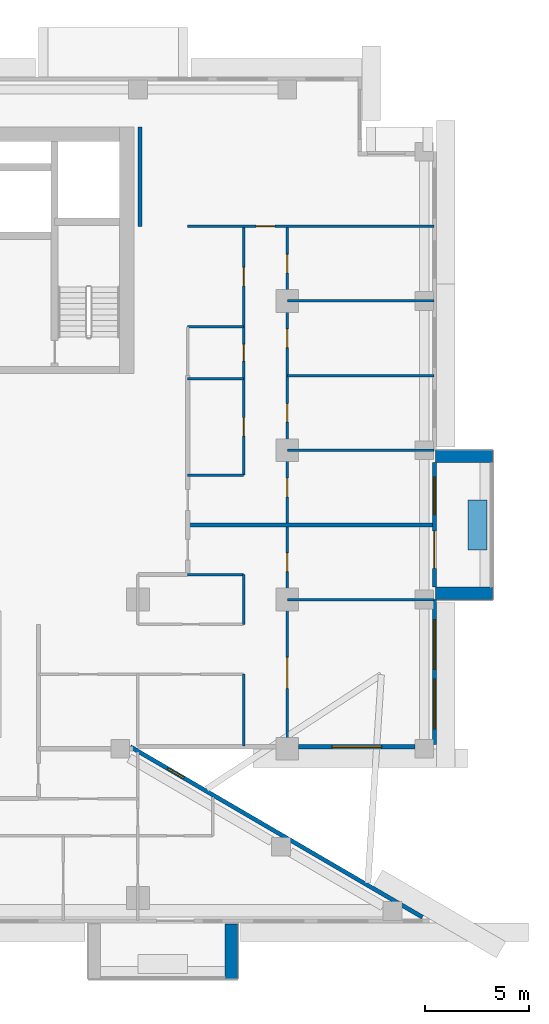
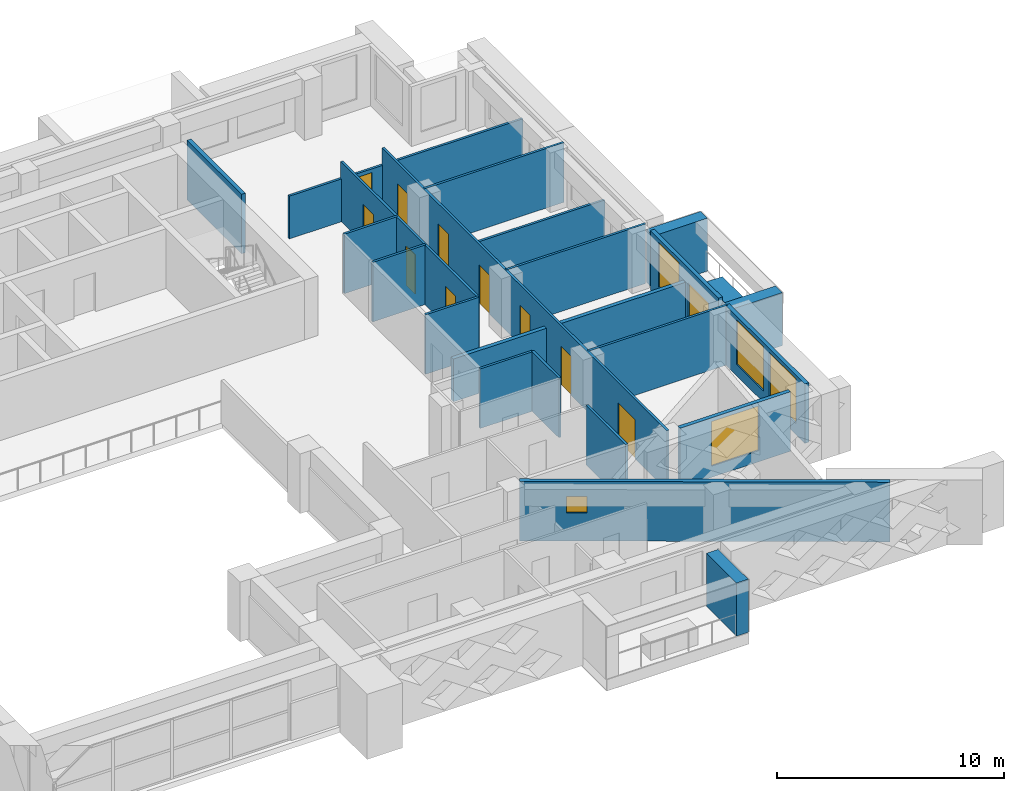
# One storey, part 12 of 20: 23 walls, 11 doors, 5 windows, 16 openings.
"""IFC4 building model written with IfcOpenShell, lengths in metres."""

from ifc_helpers import new_model, si_unit, direction, frame, frame_2d, origin, place, context, subcontext, project, spatial, rectangle, extrude, material, layer, layer_set, type_object, element, fill, save


model = new_model("IFC4")

# Units and contexts
model_context = context("Model", 3, precision=1e-05, world=origin(), true_north=direction((0.0, 1.0)))
body_context = subcontext(model_context, "Body", "Model", "MODEL_VIEW")
ifc_project = project(units=[si_unit("LENGTHUNIT", "METRE"), si_unit("AREAUNIT", "SQUARE_METRE"), si_unit("VOLUMEUNIT", "CUBIC_METRE"), si_unit("PLANEANGLEUNIT", "RADIAN"), si_unit("MASSUNIT", "GRAM", prefix="KILO")], contexts=[model_context])

# Site, building, storey
site_placement = place(None, origin())
site = spatial("IfcSite", under=ifc_project, at=site_placement, CompositionType="ELEMENT")
building_placement = place(site_placement, origin())
building = spatial("IfcBuilding", under=site, at=building_placement, Name="Saffron Iwan Residences", CompositionType="ELEMENT")
storey_placement = place(building_placement, frame((0.0, 0.0, 123.5)))
storey = spatial("IfcBuildingStorey", under=building, at=storey_placement, Name="L32", CompositionType="ELEMENT", Elevation=123.5)

# Walls
ifc_material_1 = material(Name="Concrete C50/60 white painted", Category="concrete")
ifc_layer_1 = layer(ifc_material_1, 0.60009765625)
ifc_layer_set_1 = layer_set([ifc_layer_1], Name="Concrete C50/60 white painted")
wall_type_1 = type_object("IfcWallType", Name="BALCONY FIN 600", PredefinedType="SOLIDWALL", material=ifc_layer_set_1)
for number, where, z_axis, x_axis, name in (
    (1, (86.35009765625, 55.5, 0.0), (0.0, 0.0, 1.0), (1.0, 0.0, 0.0), "Balcony fin L32 F2-0a"),
    (2, (86.35009765625, 62.10009765625, 0.0), (0.0, 0.0, 1.0), (1.0, 0.0, 0.0), "Balcony fin L32 F2-0b"),
):
    element("IfcWall", number, at=place(storey_placement, frame(where, z_axis=z_axis, x_axis=x_axis)), inside=storey, type_object=wall_type_1, Name=name, PredefinedType="SOLIDWALL", context=body_context, shape_type="SweptSolid", body=[
        extrude(rectangle(XDim=2.75, YDim=0.60009765625, at=frame_2d((1.375, 0.0))), origin(), (0.0, 0.0, 1.0), 2.85009765625),
    ])
wall_1_placement = place(storey_placement, frame((76.5, 39.550048828125, 0.0), z_axis=(0.0, 0.0, 1.0), x_axis=(0.0, -1.0, 0.0)))
element("IfcWall", 3, at=wall_1_placement, inside=storey, type_object=wall_type_1, Name="Balcony fin L32 11-1b", PredefinedType="SOLIDWALL", context=body_context, shape_type="SweptSolid", body=[
    extrude(rectangle(XDim=2.650146484375, YDim=0.60009765625, at=frame_2d((1.3251953125, 0.0))), origin(), (0.0, 0.0, 1.0), 2.85009765625),
])
ifc_material_2 = material(Name="Concrete C35/45 white painted", Category="concrete")
ifc_layer_2 = layer(ifc_material_2, 0.14990234375)
ifc_layer_set_2 = layer_set([ifc_layer_2], Name="Concrete C35/45 white painted")
wall_type_2 = type_object("IfcWallType", Name="BALCONY PLANTER", PredefinedType="SOLIDWALL", material=ifc_layer_set_2)
wall_2_placement = place(storey_placement, frame((88.375, 57.60009765625, 0.0), z_axis=(0.0, 0.0, 1.0), x_axis=(0.0, 1.0, 0.0)))
element("IfcWall", 4, at=wall_2_placement, inside=storey, type_object=wall_type_2, Name="PLANTER L32 F2-0", PredefinedType="SOLIDWALL", context=body_context, shape_type="SweptSolid", body=[
    extrude(rectangle(XDim=2.39990234375, YDim=0.89990234375, at=frame_2d((1.199951171875, 0.0))), origin(), (0.0, 0.0, 1.0), 0.89990234375),
])

# Wall, opening, window
ifc_material_3 = material(Name="Concrete C40/50", Category="concrete")
ifc_layer_3 = layer(ifc_material_3, 0.199951171875)
ifc_layer_set_3 = layer_set([ifc_layer_3], Name="Concrete C40/50")
wall_type_3 = type_object("IfcWallType", Name="EXTERNAL WALL 200", PredefinedType="SOLIDWALL", material=ifc_layer_set_3)
wall_3_placement = place(storey_placement, frame((85.71923828125, 39.88134765625, 0.0), z_axis=(0.0, 0.0, 1.0), x_axis=(-0.86377618652, 0.503875678716, 0.0)))
wall_3 = element("IfcWall", 5, at=wall_3_placement, inside=storey, type_object=wall_type_3, Name="External wall L32 F0.0", PredefinedType="SOLIDWALL", context=body_context, shape_type="SweptSolid", body=[
    extrude(rectangle(XDim=16.31103515625, YDim=0.199951171875, at=frame_2d((8.155517578125, 0.0))), origin(), (0.0, 0.0, 1.0), 3.199951171875),
])
opening_1_placement = place(wall_3_placement, frame((13.32568359375, 0.0, 1.5)))
opening_1 = element("IfcOpeningElement", 6, at=opening_1_placement, cuts=wall_3, Name="Opening W6", PredefinedType="OPENING", context=body_context, shape_type="SweptSolid", body=[
    extrude(rectangle(XDim=0.89990234375, YDim=0.89990234375, at=frame_2d((0.449951171875, 0.449951171875))), frame((0.0, 0.10986328125, 0.0), z_axis=(0.0, -1.0, 0.0), x_axis=(1.0, 0.0, 0.0)), (0.0, 0.0, 1.0), 0.219970703125),
])
ifc_material_4 = material(Name="Clear glass, laminated double glazed", Category="glass")
window_type_1 = type_object("IfcWindowType", Name="WINDOW 900 x 900 BATH", PartitioningType="SINGLE_PANEL", PredefinedType="WINDOW", material=ifc_material_4)
window_1_placement = place(opening_1_placement, origin())
window_1 = element("IfcWindow", 7, at=window_1_placement, inside=storey, type_object=window_type_1, Name="Window L32 F0.0", OverallHeight=0.89990234375, OverallWidth=0.89990234375, PartitioningType="SINGLE_PANEL", PredefinedType="WINDOW", context=body_context, shape_type="SweptSolid", body=[
    extrude(rectangle(XDim=0.89990234375, YDim=0.89990234375, at=frame_2d((0.449951171875, 0.449951171875))), frame((0.0, 0.030029296875, 0.0), z_axis=(0.0, -1.0, 0.0), x_axis=(1.0, 0.0, 0.0)), (0.0, 0.0, 1.0), 0.06005859375),
])
fill(opening_1, window_1)

wall_4_placement = place(storey_placement, frame((79.75, 48.10009765625, 0.0), z_axis=(0.0, 0.0, 1.0), x_axis=(1.0, 0.0, 0.0)))
wall_4 = element("IfcWall", 8, at=wall_4_placement, inside=storey, type_object=wall_type_3, Name="External wall L32 F1.1", PredefinedType="SOLIDWALL", context=body_context, shape_type="SweptSolid", body=[
    extrude(rectangle(XDim=5.60009765625, YDim=0.199951171875, at=frame_2d((2.800048828125, 0.0))), origin(), (0.0, 0.0, 1.0), 3.199951171875),
])
opening_2_placement = place(wall_4_placement, frame((1.60009765625, 0.0, 0.60009765625)))
opening_2 = element("IfcOpeningElement", 9, at=opening_2_placement, cuts=wall_4, Name="Opening W1", PredefinedType="OPENING", context=body_context, shape_type="SweptSolid", body=[
    extrude(rectangle(XDim=2.39990234375, YDim=2.39990234375, at=frame_2d((1.199951171875, 1.199951171875))), frame((0.0, 0.10986328125, 0.0), z_axis=(0.0, -1.0, 0.0), x_axis=(1.0, 0.0, 0.0)), (0.0, 0.0, 1.0), 0.219970703125),
])
window_type_2 = type_object("IfcWindowType", Name="WINDOW 2400 x 2400", PartitioningType="DOUBLE_PANEL_VERTICAL", PredefinedType="WINDOW", material=ifc_material_4)
window_2_placement = place(opening_2_placement, origin())
window_2 = element("IfcWindow", 10, at=window_2_placement, inside=storey, type_object=window_type_2, Name="Window L32 F1.0", OverallHeight=2.39990234375, OverallWidth=2.39990234375, PartitioningType="DOUBLE_PANEL_VERTICAL", PredefinedType="WINDOW", context=body_context, shape_type="SweptSolid", body=[
    extrude(rectangle(XDim=2.39990234375, YDim=2.39990234375, at=frame_2d((1.199951171875, 1.199951171875))), frame((0.0, 0.030029296875, 0.0), z_axis=(0.0, -1.0, 0.0), x_axis=(1.0, 0.0, 0.0)), (0.0, 0.0, 1.0), 0.06005859375),
])
fill(opening_2, window_2)

# Wall, openings, windows
wall_5_placement = place(storey_placement, frame((86.300048828125, 48.199951171875, 0.0), z_axis=(0.0, 0.0, 1.0), x_axis=(0.0, 1.0, 0.0)))
wall_5 = element("IfcWall", 11, at=wall_5_placement, inside=storey, type_object=wall_type_3, Name="External wall L32 F2.0", PredefinedType="SOLIDWALL", context=body_context, shape_type="SweptSolid", body=[
    extrude(rectangle(XDim=7.0, YDim=0.199951171875, at=frame_2d((3.5, 0.0))), origin(), (0.0, 0.0, 1.0), 3.199951171875),
])
opening_3_placement = place(wall_5_placement, frame((0.7666015625, 0.0, 0.60009765625)))
opening_3 = element("IfcOpeningElement", 12, at=opening_3_placement, cuts=wall_5, Name="Opening W1", PredefinedType="OPENING", context=body_context, shape_type="SweptSolid", body=[
    extrude(rectangle(XDim=2.39990234375, YDim=2.39990234375, at=frame_2d((1.199951171875, 1.199951171875))), frame((0.0, 0.10986328125, 0.0), z_axis=(0.0, -1.0, 0.0), x_axis=(1.0, 0.0, 0.0)), (0.0, 0.0, 1.0), 0.219970703125),
])
opening_4_placement = place(wall_5_placement, frame((3.63330078125, 0.0, 0.60009765625)))
opening_4 = element("IfcOpeningElement", 13, at=opening_4_placement, cuts=wall_5, Name="Opening W1", PredefinedType="OPENING", context=body_context, shape_type="SweptSolid", body=[
    extrude(rectangle(XDim=2.39990234375, YDim=2.39990234375, at=frame_2d((1.199951171875, 1.199951171875))), frame((0.0, 0.10986328125, 0.0), z_axis=(0.0, -1.0, 0.0), x_axis=(1.0, 0.0, 0.0)), (0.0, 0.0, 1.0), 0.219970703125),
])
window_3_placement = place(opening_3_placement, origin())
window_3 = element("IfcWindow", 14, at=window_3_placement, inside=storey, type_object=window_type_2, Name="Window L32 F2.0", OverallHeight=2.39990234375, OverallWidth=2.39990234375, PartitioningType="DOUBLE_PANEL_VERTICAL", PredefinedType="WINDOW", context=body_context, shape_type="SweptSolid", body=[
    extrude(rectangle(XDim=2.39990234375, YDim=2.39990234375, at=frame_2d((1.199951171875, 1.199951171875))), frame((0.0, 0.030029296875, 0.0), z_axis=(0.0, -1.0, 0.0), x_axis=(1.0, 0.0, 0.0)), (0.0, 0.0, 1.0), 0.06005859375),
])
fill(opening_3, window_3)
window_4_placement = place(opening_4_placement, origin())
window_4 = element("IfcWindow", 15, at=window_4_placement, inside=storey, type_object=window_type_2, Name="Window L32 F2.1", OverallHeight=2.39990234375, OverallWidth=2.39990234375, PartitioningType="DOUBLE_PANEL_VERTICAL", PredefinedType="WINDOW", context=body_context, shape_type="SweptSolid", body=[
    extrude(rectangle(XDim=2.39990234375, YDim=2.39990234375, at=frame_2d((1.199951171875, 1.199951171875))), frame((0.0, 0.030029296875, 0.0), z_axis=(0.0, -1.0, 0.0), x_axis=(1.0, 0.0, 0.0)), (0.0, 0.0, 1.0), 0.06005859375),
])
fill(opening_4, window_4)

# Wall, openings, door, window
wall_6_placement = place(storey_placement, frame((86.300048828125, 55.800048828125, 0.0), z_axis=(0.0, 0.0, 1.0), x_axis=(0.0, 1.0, 0.0)))
wall_6 = element("IfcWall", 16, at=wall_6_placement, inside=storey, type_object=wall_type_3, Name="External wall L32 F2.1", PredefinedType="SOLIDWALL", context=body_context, shape_type="SweptSolid", body=[
    extrude(rectangle(XDim=6.0, YDim=0.199951171875, at=frame_2d((3.0, 0.0))), origin(), (0.0, 0.0, 1.0), 3.199951171875),
])
opening_5_placement = place(wall_6_placement, frame((0.89990234375, 0.0, 0.0)))
opening_5 = element("IfcOpeningElement", 17, at=opening_5_placement, cuts=wall_6, Name="Opening BD1", PredefinedType="OPENING", context=body_context, shape_type="SweptSolid", body=[
    extrude(rectangle(XDim=1.800048828125, YDim=2.39990234375, at=frame_2d((0.89990234375, 1.199951171875))), frame((0.0, 0.10986328125, 0.0), z_axis=(0.0, -1.0, 0.0), x_axis=(1.0, 0.0, 0.0)), (0.0, 0.0, 1.0), 0.219970703125),
])
opening_6_placement = place(wall_6_placement, frame((3.5, 0.0, 0.60009765625)))
opening_6 = element("IfcOpeningElement", 18, at=opening_6_placement, cuts=wall_6, Name="Opening W8", PredefinedType="OPENING", context=body_context, shape_type="SweptSolid", body=[
    extrude(rectangle(XDim=1.800048828125, YDim=2.39990234375, at=frame_2d((0.89990234375, 1.199951171875))), frame((0.0, 0.10986328125, 0.0), z_axis=(0.0, -1.0, 0.0), x_axis=(1.0, 0.0, 0.0)), (0.0, 0.0, 1.0), 0.219970703125),
])
door_type_1 = type_object("IfcDoorType", Name="BALCONY DOOR 1800 x 2400", OperationType="DOUBLE_DOOR_SLIDING", PredefinedType="DOOR", material=ifc_material_4)
door_1_placement = place(opening_5_placement, origin())
door_1 = element("IfcDoor", 19, at=door_1_placement, inside=storey, type_object=door_type_1, Name="Balcony door L32 F2.0", OperationType="DOUBLE_DOOR_SLIDING", OverallHeight=2.39990234375, OverallWidth=1.800048828125, PredefinedType="DOOR", context=body_context, shape_type="SweptSolid", body=[
    extrude(rectangle(XDim=1.800048828125, YDim=2.39990234375, at=frame_2d((0.89990234375, 1.199951171875))), frame((0.0, 0.02490234375, 0.0), z_axis=(0.0, -1.0, 0.0), x_axis=(1.0, 0.0, 0.0)), (0.0, 0.0, 1.0), 0.050048828125),
])
fill(opening_5, door_1)
window_type_3 = type_object("IfcWindowType", Name="WINDOW 1800 x 2400", PartitioningType="DOUBLE_PANEL_VERTICAL", PredefinedType="WINDOW", material=ifc_material_4)
window_5_placement = place(opening_6_placement, origin())
window_5 = element("IfcWindow", 20, at=window_5_placement, inside=storey, type_object=window_type_3, Name="Window L32 F2.1", OverallHeight=2.39990234375, OverallWidth=1.800048828125, PartitioningType="DOUBLE_PANEL_VERTICAL", PredefinedType="WINDOW", context=body_context, shape_type="SweptSolid", body=[
    extrude(rectangle(XDim=1.800048828125, YDim=2.39990234375, at=frame_2d((0.89990234375, 1.199951171875))), frame((0.0, 0.030029296875, 0.0), z_axis=(0.0, -1.0, 0.0), x_axis=(1.0, 0.0, 0.0)), (0.0, 0.0, 1.0), 0.06005859375),
])
fill(opening_6, window_5)

# Walls
ifc_material_5 = material(Name="Fire-rated gypsum board wall")
ifc_layer_4 = layer(ifc_material_5, 0.199951171875)
ifc_layer_set_4 = layer_set([ifc_layer_4], Name="Fire-rated gypsum board wall")
wall_type_4 = type_object("IfcWallType", Name="Flat demising wall 200", PredefinedType="SOLIDWALL", material=ifc_layer_set_4)
wall_7_placement = place(storey_placement, frame((74.39990234375, 58.800048828125, 0.0), z_axis=(0.0, 0.0, 1.0), x_axis=(1.0, 0.0, 0.0)))
element("IfcWall", 21, at=wall_7_placement, inside=storey, type_object=wall_type_4, Name="W-L32-DEMISE-h58.8-74.4", PredefinedType="SOLIDWALL", context=body_context, shape_type="SweptSolid", body=[
    extrude(rectangle(XDim=11.875, YDim=0.199951171875, at=frame_2d((5.9375, 0.0))), origin(), (0.0, 0.0, 1.0), 2.300048828125),
])
ifc_material_6 = material(Name="Gypsum board partition")
ifc_layer_5 = layer(ifc_material_6, 0.1201171875)
ifc_layer_set_5 = layer_set([ifc_layer_5], Name="Gypsum board partition")
wall_type_5 = type_object("IfcWallType", Name="Flat partition 120", PredefinedType="PARTITIONING", material=ifc_layer_set_5)
wall_8_placement = place(storey_placement, frame((79.199951171875, 55.199951171875, 0.0), z_axis=(0.0, 0.0, 1.0), x_axis=(1.0, 0.0, 0.0)))
element("IfcWall", 22, at=wall_8_placement, inside=storey, type_object=wall_type_5, Name="W-L32-PART-h55.2-79.2", PredefinedType="PARTITIONING", context=body_context, shape_type="SweptSolid", body=[
    extrude(rectangle(XDim=7.074951171875, YDim=0.1201171875, at=frame_2d((3.53759765625, 0.0))), origin(), (0.0, 0.0, 1.0), 3.199951171875),
])
for number, where, z_axis, x_axis, name in (
    (23, (74.39990234375, 56.39990234375, 0.0), (0.0, 0.0, 1.0), (1.0, 0.0, 0.0), "W-L32-PART-h56.4-74.4"),
    (24, (74.39990234375, 61.199951171875, 0.0), (0.0, 0.0, 1.0), (1.0, 0.0, 0.0), "W-L32-PART-h61.2-74.4"),
):
    element("IfcWall", number, at=place(storey_placement, frame(where, z_axis=z_axis, x_axis=x_axis)), inside=storey, type_object=wall_type_5, Name=name, PredefinedType="PARTITIONING", context=body_context, shape_type="SweptSolid", body=[
        extrude(rectangle(XDim=2.7001953125, YDim=0.1201171875, at=frame_2d((1.35009765625, 0.0))), origin(), (0.0, 0.0, 1.0), 3.199951171875),
    ])
wall_9_placement = place(storey_placement, frame((79.199951171875, 62.39990234375, 0.0), z_axis=(0.0, 0.0, 1.0), x_axis=(1.0, 0.0, 0.0)))
element("IfcWall", 25, at=wall_9_placement, inside=storey, type_object=wall_type_5, Name="W-L32-PART-h62.4-79.2", PredefinedType="PARTITIONING", context=body_context, shape_type="SweptSolid", body=[
    extrude(rectangle(XDim=7.074951171875, YDim=0.1201171875, at=frame_2d((3.53759765625, 0.0))), origin(), (0.0, 0.0, 1.0), 3.199951171875),
])
wall_10_placement = place(storey_placement, frame((74.39990234375, 65.85009765625, 0.0), z_axis=(0.0, 0.0, 1.0), x_axis=(1.0, 0.0, 0.0)))
element("IfcWall", 26, at=wall_10_placement, inside=storey, type_object=wall_type_5, Name="W-L32-PART-h65.85-74.4", PredefinedType="PARTITIONING", context=body_context, shape_type="SweptSolid", body=[
    extrude(rectangle(XDim=2.7001953125, YDim=0.1201171875, at=frame_2d((1.35009765625, 0.0))), origin(), (0.0, 0.0, 1.0), 3.199951171875),
])
wall_11_placement = place(storey_placement, frame((79.199951171875, 66.0, 0.0), z_axis=(0.0, 0.0, 1.0), x_axis=(1.0, 0.0, 0.0)))
element("IfcWall", 27, at=wall_11_placement, inside=storey, type_object=wall_type_5, Name="W-L32-PART-h66-79.2", PredefinedType="PARTITIONING", context=body_context, shape_type="SweptSolid", body=[
    extrude(rectangle(XDim=7.074951171875, YDim=0.1201171875, at=frame_2d((3.53759765625, 0.0))), origin(), (0.0, 0.0, 1.0), 2.300048828125),
])
wall_12_placement = place(storey_placement, frame((74.39990234375, 68.35009765625, 0.0), z_axis=(0.0, 0.0, 1.0), x_axis=(1.0, 0.0, 0.0)))
element("IfcWall", 28, at=wall_12_placement, inside=storey, type_object=wall_type_5, Name="W-L32-PART-h68.35-74.4", PredefinedType="PARTITIONING", context=body_context, shape_type="SweptSolid", body=[
    extrude(rectangle(XDim=2.7001953125, YDim=0.1201171875, at=frame_2d((1.35009765625, 0.0))), origin(), (0.0, 0.0, 1.0), 3.199951171875),
])
wall_13_placement = place(storey_placement, frame((79.199951171875, 69.60009765625, 0.0), z_axis=(0.0, 0.0, 1.0), x_axis=(1.0, 0.0, 0.0)))
element("IfcWall", 29, at=wall_13_placement, inside=storey, type_object=wall_type_5, Name="W-L32-PART-h69.6-79.2", PredefinedType="PARTITIONING", context=body_context, shape_type="SweptSolid", body=[
    extrude(rectangle(XDim=7.074951171875, YDim=0.1201171875, at=frame_2d((3.53759765625, 0.0))), origin(), (0.0, 0.0, 1.0), 3.199951171875),
])

# Wall, opening, door
wall_14_placement = place(storey_placement, frame((74.39990234375, 73.199951171875, 0.0), z_axis=(0.0, 0.0, 1.0), x_axis=(1.0, 0.0, 0.0)))
wall_14 = element("IfcWall", 30, at=wall_14_placement, inside=storey, type_object=wall_type_5, Name="W-L32-PART-h73.2-74.4", PredefinedType="PARTITIONING", context=body_context, shape_type="SweptSolid", body=[
    extrude(rectangle(XDim=11.875, YDim=0.1201171875, at=frame_2d((5.9375, 0.0))), origin(), (0.0, 0.0, 1.0), 2.300048828125),
])
opening_7_placement = place(wall_14_placement, frame((3.300048828125, 0.0, 0.0)))
opening_7 = element("IfcOpeningElement", 31, at=opening_7_placement, cuts=wall_14, Name="Opening FD2", PredefinedType="OPENING", context=body_context, shape_type="SweptSolid", body=[
    extrude(rectangle(XDim=0.89990234375, YDim=2.10009765625, at=frame_2d((0.449951171875, 1.050048828125))), frame((0.0, 0.070068359375, 0.0), z_axis=(0.0, -1.0, 0.0), x_axis=(1.0, 0.0, 0.0)), (0.0, 0.0, 1.0), 0.14013671875),
])
ifc_material_7 = material(Name="Timber door", Category="wood")
door_type_2 = type_object("IfcDoorType", Name="Flat door 900", OperationType="NOTDEFINED", PredefinedType="DOOR", material=ifc_material_7)
door_2_placement = place(opening_7_placement, origin())
door_2 = element("IfcDoor", 32, at=door_2_placement, inside=storey, type_object=door_type_2, Name="Door L32-034", OperationType="SINGLE_SWING_LEFT", OverallHeight=2.10009765625, OverallWidth=0.89990234375, PredefinedType="DOOR", context=body_context, shape_type="SweptSolid", body=[
    extrude(rectangle(XDim=0.89990234375, YDim=2.10009765625, at=frame_2d((0.449951171875, 1.050048828125))), frame((0.0, 0.02490234375, 0.0), z_axis=(0.0, -1.0, 0.0), x_axis=(1.0, 0.0, 0.0)), (0.0, 0.0, 1.0), 0.050048828125),
])
fill(opening_7, door_2)

# Walls
wall_15_placement = place(storey_placement, frame((77.10009765625, 48.125, 0.0), z_axis=(0.0, 0.0, 1.0), x_axis=(0.0, 1.0, 0.0)))
element("IfcWall", 33, at=wall_15_placement, inside=storey, type_object=wall_type_5, Name="W-L32-PART-v77.1-48.125", PredefinedType="PARTITIONING", context=body_context, shape_type="SweptSolid", body=[
    extrude(rectangle(XDim=3.47509765625, YDim=0.1201171875, at=frame_2d((1.737548828125, 0.0))), origin(), (0.0, 0.0, 1.0), 3.199951171875),
])
wall_16_placement = place(storey_placement, frame((77.10009765625, 54.0, 0.0), z_axis=(0.0, 0.0, 1.0), x_axis=(0.0, 1.0, 0.0)))
element("IfcWall", 34, at=wall_16_placement, inside=storey, type_object=wall_type_5, Name="W-L32-PART-v77.1-54", PredefinedType="PARTITIONING", context=body_context, shape_type="SweptSolid", body=[
    extrude(rectangle(XDim=2.39990234375, YDim=0.1201171875, at=frame_2d((1.199951171875, 0.0))), origin(), (0.0, 0.0, 1.0), 3.199951171875),
])

# Wall, openings, doors
wall_17_placement = place(storey_placement, frame((77.10009765625, 61.199951171875, 0.0), z_axis=(0.0, 0.0, 1.0), x_axis=(0.0, 1.0, 0.0)))
wall_17 = element("IfcWall", 35, at=wall_17_placement, inside=storey, type_object=wall_type_5, Name="W-L32-PART-v77.1-61.2", PredefinedType="PARTITIONING", context=body_context, shape_type="SweptSolid", body=[
    extrude(rectangle(XDim=12.0, YDim=0.1201171875, at=frame_2d((6.0, 0.0))), origin(), (0.0, 0.0, 1.0), 3.199951171875),
])
opening_8_placement = place(wall_17_placement, frame((1.875, 0.0, 0.0)))
opening_8 = element("IfcOpeningElement", 36, at=opening_8_placement, cuts=wall_17, Name="Opening FD2", PredefinedType="OPENING", context=body_context, shape_type="SweptSolid", body=[
    extrude(rectangle(XDim=0.89990234375, YDim=2.10009765625, at=frame_2d((0.449951171875, 1.050048828125))), frame((0.0, 0.070068359375, 0.0), z_axis=(0.0, -1.0, 0.0), x_axis=(1.0, 0.0, 0.0)), (0.0, 0.0, 1.0), 0.14013671875),
])
opening_9_placement = place(wall_17_placement, frame((5.5, 0.0, 0.0)))
opening_9 = element("IfcOpeningElement", 37, at=opening_9_placement, cuts=wall_17, Name="Opening FD3", PredefinedType="OPENING", context=body_context, shape_type="SweptSolid", body=[
    extrude(rectangle(XDim=0.800048828125, YDim=2.10009765625, at=frame_2d((0.39990234375, 1.050048828125))), frame((0.0, 0.070068359375, 0.0), z_axis=(0.0, -1.0, 0.0), x_axis=(1.0, 0.0, 0.0)), (0.0, 0.0, 1.0), 0.14013671875),
])
opening_10_placement = place(wall_17_placement, frame((9.125, 0.0, 0.0)))
opening_10 = element("IfcOpeningElement", 38, at=opening_10_placement, cuts=wall_17, Name="Opening FD2", PredefinedType="OPENING", context=body_context, shape_type="SweptSolid", body=[
    extrude(rectangle(XDim=0.89990234375, YDim=2.10009765625, at=frame_2d((0.449951171875, 1.050048828125))), frame((0.0, 0.070068359375, 0.0), z_axis=(0.0, -1.0, 0.0), x_axis=(1.0, 0.0, 0.0)), (0.0, 0.0, 1.0), 0.14013671875),
])
door_type_3 = type_object("IfcDoorType", Name="Bathroom door 800", OperationType="NOTDEFINED", PredefinedType="DOOR", material=ifc_material_7)
door_3_placement = place(opening_9_placement, origin())
door_3 = element("IfcDoor", 39, at=door_3_placement, inside=storey, type_object=door_type_3, Name="Door L32-036", OperationType="SINGLE_SWING_LEFT", OverallHeight=2.10009765625, OverallWidth=0.800048828125, PredefinedType="DOOR", context=body_context, shape_type="SweptSolid", body=[
    extrude(rectangle(XDim=0.800048828125, YDim=2.10009765625, at=frame_2d((0.39990234375, 1.050048828125))), frame((0.0, 0.02490234375, 0.0), z_axis=(0.0, -1.0, 0.0), x_axis=(1.0, 0.0, 0.0)), (0.0, 0.0, 1.0), 0.050048828125),
])
fill(opening_9, door_3)
door_4_placement = place(opening_8_placement, origin())
door_4 = element("IfcDoor", 40, at=door_4_placement, inside=storey, type_object=door_type_2, Name="Door L32-035", OperationType="SINGLE_SWING_RIGHT", OverallHeight=2.10009765625, OverallWidth=0.89990234375, PredefinedType="DOOR", context=body_context, shape_type="SweptSolid", body=[
    extrude(rectangle(XDim=0.89990234375, YDim=2.10009765625, at=frame_2d((0.449951171875, 1.050048828125))), frame((0.0, 0.02490234375, 0.0), z_axis=(0.0, -1.0, 0.0), x_axis=(1.0, 0.0, 0.0)), (0.0, 0.0, 1.0), 0.050048828125),
])
fill(opening_8, door_4)
door_5_placement = place(opening_10_placement, origin())
door_5 = element("IfcDoor", 41, at=door_5_placement, inside=storey, type_object=door_type_2, Name="Door L32-037", OperationType="SINGLE_SWING_LEFT", OverallHeight=2.10009765625, OverallWidth=0.89990234375, PredefinedType="DOOR", context=body_context, shape_type="SweptSolid", body=[
    extrude(rectangle(XDim=0.89990234375, YDim=2.10009765625, at=frame_2d((0.449951171875, 1.050048828125))), frame((0.0, 0.02490234375, 0.0), z_axis=(0.0, -1.0, 0.0), x_axis=(1.0, 0.0, 0.0)), (0.0, 0.0, 1.0), 0.050048828125),
])
fill(opening_10, door_5)

wall_18_placement = place(storey_placement, frame((79.199951171875, 48.125, 0.0), z_axis=(0.0, 0.0, 1.0), x_axis=(0.0, 1.0, 0.0)))
wall_18 = element("IfcWall", 42, at=wall_18_placement, inside=storey, type_object=wall_type_5, Name="W-L32-PART-v79.2-48.125", PredefinedType="PARTITIONING", context=body_context, shape_type="SweptSolid", body=[
    extrude(rectangle(XDim=25.074951171875, YDim=0.1201171875, at=frame_2d((12.53759765625, 0.0))), origin(), (0.0, 0.0, 1.0), 3.199951171875),
])
opening_11_placement = place(wall_18_placement, frame((2.78759765625, 0.0, 0.0)))
opening_11 = element("IfcOpeningElement", 43, at=opening_11_placement, cuts=wall_18, Name="Opening FD4", PredefinedType="OPENING", context=body_context, shape_type="SweptSolid", body=[
    extrude(rectangle(XDim=1.5, YDim=2.10009765625, at=frame_2d((0.75, 1.050048828125))), frame((0.0, 0.070068359375, 0.0), z_axis=(0.0, -1.0, 0.0), x_axis=(1.0, 0.0, 0.0)), (0.0, 0.0, 1.0), 0.14013671875),
])
opening_12_placement = place(wall_18_placement, frame((8.425048828125, 0.0, 0.0)))
opening_12 = element("IfcOpeningElement", 44, at=opening_12_placement, cuts=wall_18, Name="Opening FD2", PredefinedType="OPENING", context=body_context, shape_type="SweptSolid", body=[
    extrude(rectangle(XDim=0.89990234375, YDim=2.10009765625, at=frame_2d((0.449951171875, 1.050048828125))), frame((0.0, 0.070068359375, 0.0), z_axis=(0.0, -1.0, 0.0), x_axis=(1.0, 0.0, 0.0)), (0.0, 0.0, 1.0), 0.14013671875),
])
opening_13_placement = place(wall_18_placement, frame((12.02490234375, 0.0, 0.0)))
opening_13 = element("IfcOpeningElement", 45, at=opening_13_placement, cuts=wall_18, Name="Opening FD2", PredefinedType="OPENING", context=body_context, shape_type="SweptSolid", body=[
    extrude(rectangle(XDim=0.89990234375, YDim=2.10009765625, at=frame_2d((0.449951171875, 1.050048828125))), frame((0.0, 0.070068359375, 0.0), z_axis=(0.0, -1.0, 0.0), x_axis=(1.0, 0.0, 0.0)), (0.0, 0.0, 1.0), 0.14013671875),
])
opening_14_placement = place(wall_18_placement, frame((15.625, 0.0, 0.0)))
opening_14 = element("IfcOpeningElement", 46, at=opening_14_placement, cuts=wall_18, Name="Opening FD2", PredefinedType="OPENING", context=body_context, shape_type="SweptSolid", body=[
    extrude(rectangle(XDim=0.89990234375, YDim=2.10009765625, at=frame_2d((0.449951171875, 1.050048828125))), frame((0.0, 0.070068359375, 0.0), z_axis=(0.0, -1.0, 0.0), x_axis=(1.0, 0.0, 0.0)), (0.0, 0.0, 1.0), 0.14013671875),
])
opening_15_placement = place(wall_18_placement, frame((19.22509765625, 0.0, 0.0)))
opening_15 = element("IfcOpeningElement", 47, at=opening_15_placement, cuts=wall_18, Name="Opening FD2", PredefinedType="OPENING", context=body_context, shape_type="SweptSolid", body=[
    extrude(rectangle(XDim=0.89990234375, YDim=2.10009765625, at=frame_2d((0.449951171875, 1.050048828125))), frame((0.0, 0.070068359375, 0.0), z_axis=(0.0, -1.0, 0.0), x_axis=(1.0, 0.0, 0.0)), (0.0, 0.0, 1.0), 0.14013671875),
])
opening_16_placement = place(wall_18_placement, frame((22.824951171875, 0.0, 0.0)))
opening_16 = element("IfcOpeningElement", 48, at=opening_16_placement, cuts=wall_18, Name="Opening FD2", PredefinedType="OPENING", context=body_context, shape_type="SweptSolid", body=[
    extrude(rectangle(XDim=0.89990234375, YDim=2.10009765625, at=frame_2d((0.449951171875, 1.050048828125))), frame((0.0, 0.070068359375, 0.0), z_axis=(0.0, -1.0, 0.0), x_axis=(1.0, 0.0, 0.0)), (0.0, 0.0, 1.0), 0.14013671875),
])
door_type_4 = type_object("IfcDoorType", Name="Double door 1500", OperationType="NOTDEFINED", PredefinedType="DOOR", material=ifc_material_7)
door_6_placement = place(opening_11_placement, origin())
door_6 = element("IfcDoor", 49, at=door_6_placement, inside=storey, type_object=door_type_4, Name="Door L32-014", OperationType="SINGLE_SWING_RIGHT", OverallHeight=2.10009765625, OverallWidth=1.5, PredefinedType="DOOR", context=body_context, shape_type="SweptSolid", body=[
    extrude(rectangle(XDim=1.5, YDim=2.10009765625, at=frame_2d((0.75, 1.050048828125))), frame((0.0, 0.02490234375, 0.0), z_axis=(0.0, -1.0, 0.0), x_axis=(1.0, 0.0, 0.0)), (0.0, 0.0, 1.0), 0.050048828125),
])
fill(opening_11, door_6)
door_7_placement = place(opening_12_placement, origin())
door_7 = element("IfcDoor", 50, at=door_7_placement, inside=storey, type_object=door_type_2, Name="Door L32-015", OperationType="SINGLE_SWING_LEFT", OverallHeight=2.10009765625, OverallWidth=0.89990234375, PredefinedType="DOOR", context=body_context, shape_type="SweptSolid", body=[
    extrude(rectangle(XDim=0.89990234375, YDim=2.10009765625, at=frame_2d((0.449951171875, 1.050048828125))), frame((0.0, 0.02490234375, 0.0), z_axis=(0.0, -1.0, 0.0), x_axis=(1.0, 0.0, 0.0)), (0.0, 0.0, 1.0), 0.050048828125),
])
fill(opening_12, door_7)
door_8_placement = place(opening_13_placement, origin())
door_8 = element("IfcDoor", 51, at=door_8_placement, inside=storey, type_object=door_type_2, Name="Door L32-030", OperationType="SINGLE_SWING_LEFT", OverallHeight=2.10009765625, OverallWidth=0.89990234375, PredefinedType="DOOR", context=body_context, shape_type="SweptSolid", body=[
    extrude(rectangle(XDim=0.89990234375, YDim=2.10009765625, at=frame_2d((0.449951171875, 1.050048828125))), frame((0.0, 0.02490234375, 0.0), z_axis=(0.0, -1.0, 0.0), x_axis=(1.0, 0.0, 0.0)), (0.0, 0.0, 1.0), 0.050048828125),
])
fill(opening_13, door_8)
door_9_placement = place(opening_14_placement, origin())
door_9 = element("IfcDoor", 52, at=door_9_placement, inside=storey, type_object=door_type_2, Name="Door L32-031", OperationType="SINGLE_SWING_LEFT", OverallHeight=2.10009765625, OverallWidth=0.89990234375, PredefinedType="DOOR", context=body_context, shape_type="SweptSolid", body=[
    extrude(rectangle(XDim=0.89990234375, YDim=2.10009765625, at=frame_2d((0.449951171875, 1.050048828125))), frame((0.0, 0.02490234375, 0.0), z_axis=(0.0, -1.0, 0.0), x_axis=(1.0, 0.0, 0.0)), (0.0, 0.0, 1.0), 0.050048828125),
])
fill(opening_14, door_9)
door_10_placement = place(opening_15_placement, origin())
door_10 = element("IfcDoor", 53, at=door_10_placement, inside=storey, type_object=door_type_2, Name="Door L32-032", OperationType="SINGLE_SWING_RIGHT", OverallHeight=2.10009765625, OverallWidth=0.89990234375, PredefinedType="DOOR", context=body_context, shape_type="SweptSolid", body=[
    extrude(rectangle(XDim=0.89990234375, YDim=2.10009765625, at=frame_2d((0.449951171875, 1.050048828125))), frame((0.0, 0.02490234375, 0.0), z_axis=(0.0, -1.0, 0.0), x_axis=(1.0, 0.0, 0.0)), (0.0, 0.0, 1.0), 0.050048828125),
])
fill(opening_15, door_10)
door_11_placement = place(opening_16_placement, origin())
door_11 = element("IfcDoor", 54, at=door_11_placement, inside=storey, type_object=door_type_2, Name="Door L32-033", OperationType="SINGLE_SWING_LEFT", OverallHeight=2.10009765625, OverallWidth=0.89990234375, PredefinedType="DOOR", context=body_context, shape_type="SweptSolid", body=[
    extrude(rectangle(XDim=0.89990234375, YDim=2.10009765625, at=frame_2d((0.449951171875, 1.050048828125))), frame((0.0, 0.02490234375, 0.0), z_axis=(0.0, -1.0, 0.0), x_axis=(1.0, 0.0, 0.0)), (0.0, 0.0, 1.0), 0.050048828125),
])
fill(opening_16, door_11)

# Wall
ifc_layer_6 = layer(ifc_material_5, 0.199951171875)
ifc_layer_set_6 = layer_set([ifc_layer_6], Name="Fire-rated gypsum board wall")
wall_type_6 = type_object("IfcWallType", Name="Gallery wall 200", PredefinedType="SOLIDWALL", material=ifc_layer_set_6)
wall_19_placement = place(storey_placement, frame((72.10009765625, 73.199951171875, 0.0), z_axis=(0.0, 0.0, 1.0), x_axis=(0.0, 1.0, 0.0)))
element("IfcWall", 55, at=wall_19_placement, inside=storey, type_object=wall_type_6, Name="W-L32-CORR-v72-73.2", PredefinedType="SOLIDWALL", context=body_context, shape_type="SweptSolid", body=[
    extrude(rectangle(XDim=4.800048828125, YDim=0.199951171875, at=frame_2d((2.39990234375, 0.0))), origin(), (0.0, 0.0, 1.0), 3.199951171875),
])

save(model, "model.ifc")
